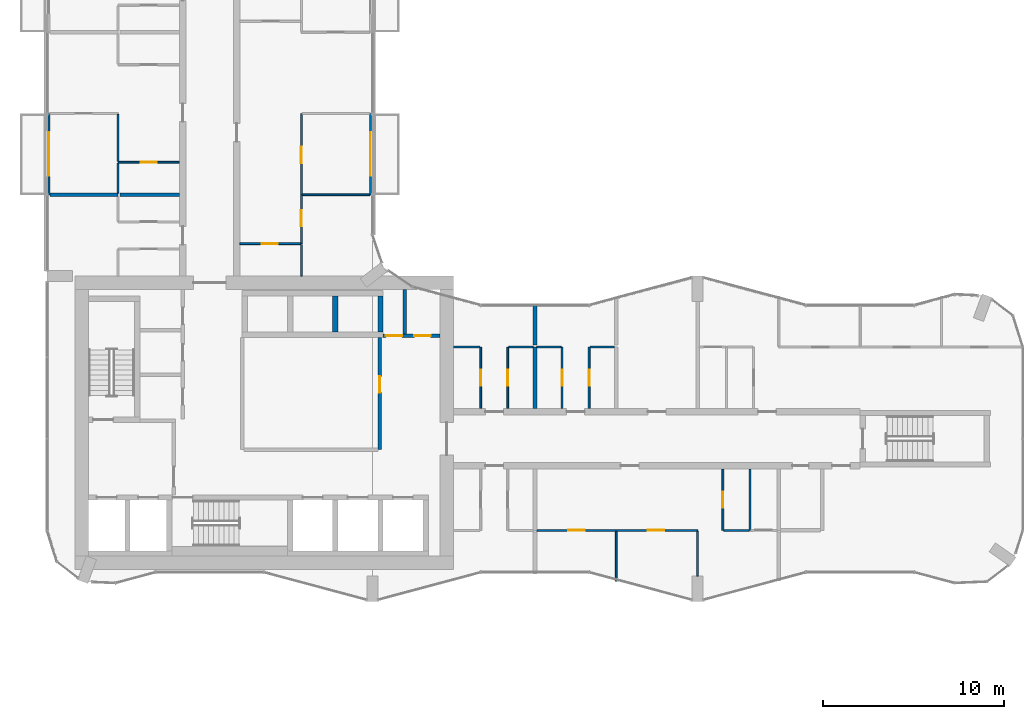
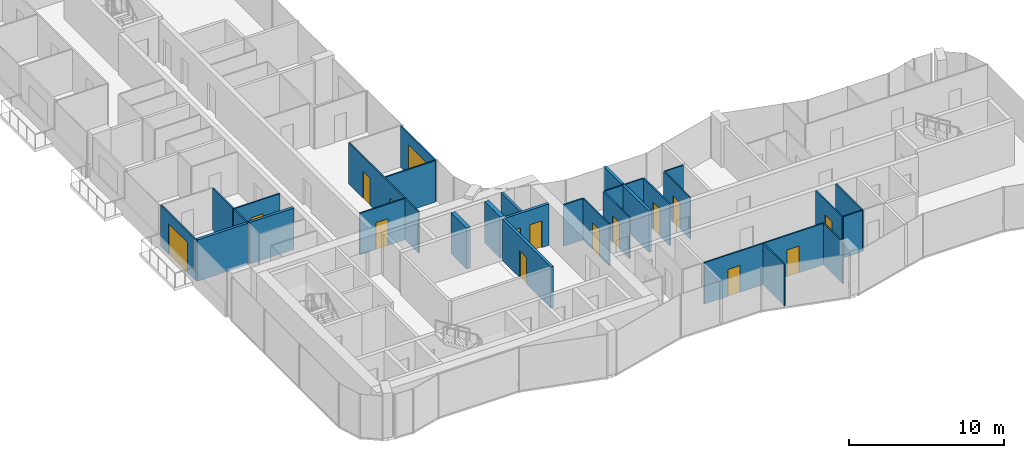
# One storey, part 14 of 23: 32 walls, 16 doors, 16 openings.
"""IFC4 building model written with IfcOpenShell, lengths in metres."""

from ifc_helpers import new_model, si_unit, direction, frame, frame_2d, origin, place, context, subcontext, project, spatial, rectangle, extrude, material, layer, layer_set, type_object, element, fill, save


model = new_model("IFC4")

# Units and contexts
model_context = context("Model", 3, precision=1e-05, world=origin(), true_north=direction((0.0, 1.0)))
body_context = subcontext(model_context, "Body", "Model", "MODEL_VIEW")
ifc_project = project(units=[si_unit("LENGTHUNIT", "METRE"), si_unit("AREAUNIT", "SQUARE_METRE"), si_unit("VOLUMEUNIT", "CUBIC_METRE"), si_unit("PLANEANGLEUNIT", "RADIAN"), si_unit("MASSUNIT", "GRAM", prefix="KILO")], contexts=[model_context])

# Site, building, storey
site_placement = place(None, origin())
site = spatial("IfcSite", under=ifc_project, at=site_placement, CompositionType="ELEMENT")
building_placement = place(site_placement, origin())
building = spatial("IfcBuilding", under=site, at=building_placement, Name="Plateau Cross Towers", CompositionType="ELEMENT")
storey_placement = place(building_placement, frame((0.0, 0.0, 40.800048828125)))
storey = spatial("IfcBuildingStorey", under=building, at=storey_placement, Name="L09", CompositionType="ELEMENT", Elevation=40.800048828125)

# Wall, opening, door
ifc_material_1 = material(Name="Aluminium framed glazing", Category="aluminium")
ifc_layer_1 = layer(ifc_material_1, 0.10009765625)
ifc_layer_set_1 = layer_set([ifc_layer_1], Name="Aluminium framed glazing")
wall_type_1 = type_object("IfcWallType", Name="Balcony screen wall 100", PredefinedType="STANDARD", material=ifc_layer_set_1)
wall_1_placement = place(storey_placement, frame((0.10009765625, 22.5, 0.0), z_axis=(0.0, 0.0, 1.0), x_axis=(0.0, 1.0, 0.0)))
wall_1 = element("IfcWall", 1, at=wall_1_placement, inside=storey, type_object=wall_type_1, Name="Balcony screen wall A-BAL-L09-01", PredefinedType="STANDARD", context=body_context, shape_type="SweptSolid", body=[
    extrude(rectangle(XDim=4.5, YDim=0.10009765625, at=frame_2d((2.25, 0.0))), origin(), (0.0, 0.0, 1.0), 3.25),
])
opening_1_placement = place(wall_1_placement, frame((1.050048828125, 0.0, 0.0)))
opening_1 = element("IfcOpeningElement", 2, at=opening_1_placement, cuts=wall_1, Name="Opening D-B24", PredefinedType="OPENING", context=body_context, shape_type="SweptSolid", body=[
    extrude(rectangle(XDim=2.39990234375, YDim=2.39990234375, at=frame_2d((1.199951171875, 1.199951171875))), frame((0.0, 0.06005859375, 0.0), z_axis=(0.0, -1.0, 0.0), x_axis=(1.0, 0.0, 0.0)), (0.0, 0.0, 1.0), 0.1201171875),
])
ifc_material_2 = material(Name="Aluminium frame, double glazing", Category="aluminium")
door_type_1 = type_object("IfcDoorType", Name="Balcony sliding door 2400", OperationType="NOTDEFINED", PredefinedType="DOOR", material=ifc_material_2)
door_1_placement = place(opening_1_placement, origin())
door_1 = element("IfcDoor", 3, at=door_1_placement, inside=storey, type_object=door_type_1, Name="Balcony door A-BAL-L09-01", OperationType="SINGLE_SWING_LEFT", OverallHeight=2.39990234375, OverallWidth=2.39990234375, PredefinedType="DOOR", context=body_context, shape_type="SweptSolid", body=[
    extrude(rectangle(XDim=2.39990234375, YDim=2.39990234375, at=frame_2d((1.199951171875, 1.199951171875))), frame((0.0, 0.02490234375, 0.0), z_axis=(0.0, -1.0, 0.0), x_axis=(1.0, 0.0, 0.0)), (0.0, 0.0, 1.0), 0.050048828125),
])
fill(opening_1, door_1)

wall_2_placement = place(storey_placement, frame((17.89990234375, 27.0, 0.0), z_axis=(0.0, 0.0, 1.0), x_axis=(0.0, -1.0, 0.0)))
wall_2 = element("IfcWall", 4, at=wall_2_placement, inside=storey, type_object=wall_type_1, Name="Balcony screen wall A-BAL-L09-04", PredefinedType="STANDARD", context=body_context, shape_type="SweptSolid", body=[
    extrude(rectangle(XDim=4.5, YDim=0.10009765625, at=frame_2d((2.25, 0.0))), origin(), (0.0, 0.0, 1.0), 3.25),
])
opening_2_placement = place(wall_2_placement, frame((1.050048828125, 0.0, 0.0)))
opening_2 = element("IfcOpeningElement", 5, at=opening_2_placement, cuts=wall_2, Name="Opening D-B24", PredefinedType="OPENING", context=body_context, shape_type="SweptSolid", body=[
    extrude(rectangle(XDim=2.39990234375, YDim=2.39990234375, at=frame_2d((1.199951171875, 1.199951171875))), frame((0.0, 0.06005859375, 0.0), z_axis=(0.0, -1.0, 0.0), x_axis=(1.0, 0.0, 0.0)), (0.0, 0.0, 1.0), 0.1201171875),
])
door_2_placement = place(opening_2_placement, origin())
door_2 = element("IfcDoor", 6, at=door_2_placement, inside=storey, type_object=door_type_1, Name="Balcony door A-BAL-L09-04", OperationType="SINGLE_SWING_LEFT", OverallHeight=2.39990234375, OverallWidth=2.39990234375, PredefinedType="DOOR", context=body_context, shape_type="SweptSolid", body=[
    extrude(rectangle(XDim=2.39990234375, YDim=2.39990234375, at=frame_2d((1.199951171875, 1.199951171875))), frame((0.0, 0.02490234375, 0.0), z_axis=(0.0, -1.0, 0.0), x_axis=(1.0, 0.0, 0.0)), (0.0, 0.0, 1.0), 0.050048828125),
])
fill(opening_2, door_2)

ifc_material_3 = material(Name="Concrete block, plastered both sides", Category="concrete")
ifc_layer_2 = layer(ifc_material_3, 0.199951171875)
ifc_layer_set_2 = layer_set([ifc_layer_2], Name="Concrete block, plastered both sides")
wall_type_2 = type_object("IfcWallType", Name="Core partition 200", PredefinedType="PARTITIONING", material=ifc_layer_set_2)
wall_3_placement = place(storey_placement, frame((18.39990234375, 8.39990234375, 0.0), z_axis=(0.0, 0.0, 1.0), x_axis=(0.0, 1.0, 0.0)))
wall_3 = element("IfcWall", 7, at=wall_3_placement, inside=storey, type_object=wall_type_2, Name="Core partition", PredefinedType="PARTITIONING", context=body_context, shape_type="SweptSolid", body=[
    extrude(rectangle(XDim=6.2001953125, YDim=0.199951171875, at=frame_2d((3.10009765625, 0.0))), origin(), (0.0, 0.0, 1.0), 3.25),
])
opening_3_placement = place(wall_3_placement, frame((3.14990234375, 0.0, 0.0)))
opening_3 = element("IfcOpeningElement", 8, at=opening_3_placement, cuts=wall_3, Name="Opening RD1", PredefinedType="OPENING", context=body_context, shape_type="SweptSolid", body=[
    extrude(rectangle(XDim=0.89990234375, YDim=2.10009765625, at=frame_2d((0.449951171875, 1.050048828125))), frame((0.0, 0.10986328125, 0.0), z_axis=(0.0, -1.0, 0.0), x_axis=(1.0, 0.0, 0.0)), (0.0, 0.0, 1.0), 0.219970703125),
])
ifc_material_4 = material(Name="Timber, fire-resisting leaf", Category="wood")
door_type_2 = type_object("IfcDoorType", Name="Core service door 900", OperationType="NOTDEFINED", PredefinedType="DOOR", material=ifc_material_4)
door_3_placement = place(opening_3_placement, origin())
door_3 = element("IfcDoor", 9, at=door_3_placement, inside=storey, type_object=door_type_2, Name="Core service door RD1", OperationType="SINGLE_SWING_LEFT", OverallHeight=2.10009765625, OverallWidth=0.89990234375, PredefinedType="DOOR", context=body_context, shape_type="SweptSolid", body=[
    extrude(rectangle(XDim=0.89990234375, YDim=2.10009765625, at=frame_2d((0.449951171875, 1.050048828125))), frame((0.0, 0.02490234375, 0.0), z_axis=(0.0, -1.0, 0.0), x_axis=(1.0, 0.0, 0.0)), (0.0, 0.0, 1.0), 0.050048828125),
])
fill(opening_3, door_3)

# Wall, openings, doors
wall_4_placement = place(storey_placement, frame((18.60009765625, 14.699951171875, 0.0), z_axis=(0.0, 0.0, 1.0), x_axis=(1.0, 0.0, 0.0)))
wall_4 = element("IfcWall", 10, at=wall_4_placement, inside=storey, type_object=wall_type_2, Name="Core partition", PredefinedType="PARTITIONING", context=body_context, shape_type="SweptSolid", body=[
    extrude(rectangle(XDim=3.14990234375, YDim=0.199951171875, at=frame_2d((1.574951171875, 0.0))), origin(), (0.0, 0.0, 1.0), 3.25),
])
opening_4_placement = place(wall_4_placement, frame((0.14990234375, 0.0, 0.0)))
opening_4 = element("IfcOpeningElement", 11, at=opening_4_placement, cuts=wall_4, Name="Opening RD2", PredefinedType="OPENING", context=body_context, shape_type="SweptSolid", body=[
    extrude(rectangle(XDim=0.89990234375, YDim=2.10009765625, at=frame_2d((0.449951171875, 1.050048828125))), frame((0.0, 0.10986328125, 0.0), z_axis=(0.0, -1.0, 0.0), x_axis=(1.0, 0.0, 0.0)), (0.0, 0.0, 1.0), 0.219970703125),
])
opening_5_placement = place(wall_4_placement, frame((1.72509765625, 0.0, 0.0)))
opening_5 = element("IfcOpeningElement", 12, at=opening_5_placement, cuts=wall_4, Name="Opening RD2", PredefinedType="OPENING", context=body_context, shape_type="SweptSolid", body=[
    extrude(rectangle(XDim=0.89990234375, YDim=2.10009765625, at=frame_2d((0.449951171875, 1.050048828125))), frame((0.0, 0.10986328125, 0.0), z_axis=(0.0, -1.0, 0.0), x_axis=(1.0, 0.0, 0.0)), (0.0, 0.0, 1.0), 0.219970703125),
])
ifc_material_5 = material(Name="Steel, fire-resisting leaf", Category="steel")
door_type_3 = type_object("IfcDoorType", Name="Core riser door 900", OperationType="NOTDEFINED", PredefinedType="DOOR", material=ifc_material_5)
door_4_placement = place(opening_4_placement, origin())
door_4 = element("IfcDoor", 13, at=door_4_placement, inside=storey, type_object=door_type_3, Name="Core riser door RD2", OperationType="SINGLE_SWING_LEFT", OverallHeight=2.10009765625, OverallWidth=0.89990234375, PredefinedType="DOOR", context=body_context, shape_type="SweptSolid", body=[
    extrude(rectangle(XDim=0.89990234375, YDim=2.10009765625, at=frame_2d((0.449951171875, 1.050048828125))), frame((0.0, 0.02490234375, 0.0), z_axis=(0.0, -1.0, 0.0), x_axis=(1.0, 0.0, 0.0)), (0.0, 0.0, 1.0), 0.050048828125),
])
fill(opening_4, door_4)
door_5_placement = place(opening_5_placement, origin())
door_5 = element("IfcDoor", 14, at=door_5_placement, inside=storey, type_object=door_type_3, Name="Core riser door RD2", OperationType="SINGLE_SWING_LEFT", OverallHeight=2.10009765625, OverallWidth=0.89990234375, PredefinedType="DOOR", context=body_context, shape_type="SweptSolid", body=[
    extrude(rectangle(XDim=0.89990234375, YDim=2.10009765625, at=frame_2d((0.449951171875, 1.050048828125))), frame((0.0, 0.02490234375, 0.0), z_axis=(0.0, -1.0, 0.0), x_axis=(1.0, 0.0, 0.0)), (0.0, 0.0, 1.0), 0.050048828125),
])
fill(opening_5, door_5)

# Walls
wall_5_placement = place(storey_placement, frame((19.800048828125, 14.800048828125, 0.0), z_axis=(0.0, 0.0, 1.0), x_axis=(0.0, 1.0, 0.0)))
element("IfcWall", 15, at=wall_5_placement, inside=storey, type_object=wall_type_2, Name="Core partition", PredefinedType="PARTITIONING", context=body_context, shape_type="SweptSolid", body=[
    extrude(rectangle(XDim=2.449951171875, YDim=0.199951171875, at=frame_2d((1.22509765625, 0.0))), origin(), (0.0, 0.0, 1.0), 3.25),
])
ifc_material_6 = material(Name="Concrete C60/75", Category="concrete")
ifc_layer_3 = layer(ifc_material_6, 0.300048828125)
ifc_layer_set_3 = layer_set([ifc_layer_3], Name="Concrete C60/75")
wall_type_3 = type_object("IfcWallType", Name="Core shaft wall 300", PredefinedType="SHEAR", material=ifc_layer_set_3)
for number, where, z_axis, x_axis, name in (
    (16, (15.949951171875, 14.89990234375, 0.0), (0.0, 0.0, 1.0), (0.0, 1.0, 0.0), "A-nb-v3@L09"),
    (17, (18.449951171875, 14.89990234375, 0.0), (0.0, 0.0, 1.0), (0.0, 1.0, 0.0), "A-nb-v4@L09"),
):
    element("IfcWall", number, at=place(storey_placement, frame(where, z_axis=z_axis, x_axis=x_axis)), inside=storey, type_object=wall_type_3, Name=name, PredefinedType="SHEAR", context=body_context, shape_type="SweptSolid", body=[
        extrude(rectangle(XDim=2.0, YDim=0.300048828125, at=frame_2d((1.0, 0.0))), origin(), (0.0, 0.0, 1.0), 3.25),
    ])

# Wall, openings, doors
ifc_material_7 = material(Name="Gypsum board on steel studs", Category="steel")
ifc_layer_4 = layer(ifc_material_7, 0.10009765625)
ifc_layer_set_4 = layer_set([ifc_layer_4], Name="Gypsum board on steel studs")
wall_type_4 = type_object("IfcWallType", Name="Flat partition 100", PredefinedType="PARTITIONING", material=ifc_layer_set_4)
wall_6_placement = place(storey_placement, frame((36.0, 3.925048828125, 0.0), z_axis=(0.0, 0.0, 1.0), x_axis=(-1.0, 0.0, 0.0)))
wall_6 = element("IfcWall", 18, at=wall_6_placement, inside=storey, type_object=wall_type_4, Name="Partition wall", PredefinedType="PARTITIONING", context=body_context, shape_type="SweptSolid", body=[
    extrude(rectangle(XDim=8.89990234375, YDim=0.10009765625, at=frame_2d((4.449951171875, 0.0))), origin(), (0.0, 0.0, 1.0), 3.25),
])
opening_6_placement = place(wall_6_placement, frame((6.25, 0.0, 0.0)))
opening_6 = element("IfcOpeningElement", 19, at=opening_6_placement, cuts=wall_6, Name="Opening 09-21", PredefinedType="OPENING", context=body_context, shape_type="SweptSolid", body=[
    extrude(rectangle(XDim=0.89990234375, YDim=2.10009765625, at=frame_2d((0.449951171875, 1.050048828125))), frame((0.0, 0.06005859375, 0.0), z_axis=(0.0, -1.0, 0.0), x_axis=(1.0, 0.0, 0.0)), (0.0, 0.0, 1.0), 0.1201171875),
])
opening_7_placement = place(wall_6_placement, frame((1.85009765625, 0.0, 0.0)))
opening_7 = element("IfcOpeningElement", 20, at=opening_7_placement, cuts=wall_6, Name="Opening 09-22", PredefinedType="OPENING", context=body_context, shape_type="SweptSolid", body=[
    extrude(rectangle(XDim=0.89990234375, YDim=2.10009765625, at=frame_2d((0.449951171875, 1.050048828125))), frame((0.0, 0.06005859375, 0.0), z_axis=(0.0, -1.0, 0.0), x_axis=(1.0, 0.0, 0.0)), (0.0, 0.0, 1.0), 0.1201171875),
])
ifc_material_8 = material(Name="Timber leaf", Category="wood")
door_type_4 = type_object("IfcDoorType", Name="Flat room door 900", OperationType="NOTDEFINED", PredefinedType="DOOR", material=ifc_material_8)
door_6_placement = place(opening_6_placement, origin())
door_6 = element("IfcDoor", 21, at=door_6_placement, inside=storey, type_object=door_type_4, Name="Door 09-21", OperationType="SINGLE_SWING_RIGHT", OverallHeight=2.10009765625, OverallWidth=0.89990234375, PredefinedType="DOOR", context=body_context, shape_type="SweptSolid", body=[
    extrude(rectangle(XDim=0.89990234375, YDim=2.10009765625, at=frame_2d((0.449951171875, 1.050048828125))), frame((0.0, 0.02490234375, 0.0), z_axis=(0.0, -1.0, 0.0), x_axis=(1.0, 0.0, 0.0)), (0.0, 0.0, 1.0), 0.050048828125),
])
fill(opening_6, door_6)
door_7_placement = place(opening_7_placement, origin())
door_7 = element("IfcDoor", 22, at=door_7_placement, inside=storey, type_object=door_type_4, Name="Door 09-22", OperationType="SINGLE_SWING_LEFT", OverallHeight=2.10009765625, OverallWidth=0.89990234375, PredefinedType="DOOR", context=body_context, shape_type="SweptSolid", body=[
    extrude(rectangle(XDim=0.89990234375, YDim=2.10009765625, at=frame_2d((0.449951171875, 1.050048828125))), frame((0.0, 0.02490234375, 0.0), z_axis=(0.0, -1.0, 0.0), x_axis=(1.0, 0.0, 0.0)), (0.0, 0.0, 1.0), 0.050048828125),
])
fill(opening_7, door_7)

# Walls
wall_7_placement = place(storey_placement, frame((37.449951171875, 3.925048828125, 0.0), z_axis=(0.0, 0.0, 1.0), x_axis=(1.0, 0.0, 0.0)))
element("IfcWall", 23, at=wall_7_placement, inside=storey, type_object=wall_type_4, Name="Partition wall", PredefinedType="PARTITIONING", context=body_context, shape_type="SweptSolid", body=[
    extrude(rectangle(XDim=1.400146484375, YDim=0.10009765625, at=frame_2d((0.7001953125, 0.0))), origin(), (0.0, 0.0, 1.0), 3.25),
])
wall_8_placement = place(storey_placement, frame((23.949951171875, 14.074951171875, 0.0), z_axis=(0.0, 0.0, 1.0), x_axis=(-1.0, 0.0, 0.0)))
element("IfcWall", 24, at=wall_8_placement, inside=storey, type_object=wall_type_4, Name="Partition wall", PredefinedType="PARTITIONING", context=body_context, shape_type="SweptSolid", body=[
    extrude(rectangle(XDim=1.449951171875, YDim=0.10009765625, at=frame_2d((0.72509765625, 0.0))), origin(), (0.0, 0.0, 1.0), 3.25),
])
for number, where, z_axis, x_axis, name in (
    (25, (26.89990234375, 14.074951171875, 0.0), (0.0, 0.0, 1.0), (-1.0, 0.0, 0.0), "Partition wall"),
    (26, (28.449951171875, 14.074951171875, 0.0), (0.0, 0.0, 1.0), (-1.0, 0.0, 0.0), "Partition wall"),
    (27, (31.39990234375, 14.074951171875, 0.0), (0.0, 0.0, 1.0), (-1.0, 0.0, 0.0), "Partition wall"),
):
    element("IfcWall", number, at=place(storey_placement, frame(where, z_axis=z_axis, x_axis=x_axis)), inside=storey, type_object=wall_type_4, Name=name, PredefinedType="PARTITIONING", context=body_context, shape_type="SweptSolid", body=[
        extrude(rectangle(XDim=1.349853515625, YDim=0.10009765625, at=frame_2d((0.6748046875, 0.0))), origin(), (0.0, 0.0, 1.0), 3.25),
    ])

# Wall, opening, door
wall_9_placement = place(storey_placement, frame((14.02490234375, 19.800048828125, 0.0), z_axis=(0.0, 0.0, 1.0), x_axis=(-1.0, 0.0, 0.0)))
wall_9 = element("IfcWall", 28, at=wall_9_placement, inside=storey, type_object=wall_type_4, Name="Partition wall", PredefinedType="PARTITIONING", context=body_context, shape_type="SweptSolid", body=[
    extrude(rectangle(XDim=3.349853515625, YDim=0.10009765625, at=frame_2d((1.6748046875, 0.0))), origin(), (0.0, 0.0, 1.0), 3.25),
])
opening_8_placement = place(wall_9_placement, frame((1.25, 0.0, 0.0)))
opening_8 = element("IfcOpeningElement", 29, at=opening_8_placement, cuts=wall_9, Name="Opening 09-44", PredefinedType="OPENING", context=body_context, shape_type="SweptSolid", body=[
    extrude(rectangle(XDim=0.89990234375, YDim=2.10009765625, at=frame_2d((0.449951171875, 1.050048828125))), frame((0.0, 0.06005859375, 0.0), z_axis=(0.0, -1.0, 0.0), x_axis=(1.0, 0.0, 0.0)), (0.0, 0.0, 1.0), 0.1201171875),
])
door_8_placement = place(opening_8_placement, origin())
door_8 = element("IfcDoor", 30, at=door_8_placement, inside=storey, type_object=door_type_4, Name="Door 09-44", OperationType="SINGLE_SWING_RIGHT", OverallHeight=2.10009765625, OverallWidth=0.89990234375, PredefinedType="DOOR", context=body_context, shape_type="SweptSolid", body=[
    extrude(rectangle(XDim=0.89990234375, YDim=2.10009765625, at=frame_2d((0.449951171875, 1.050048828125))), frame((0.0, 0.02490234375, 0.0), z_axis=(0.0, -1.0, 0.0), x_axis=(1.0, 0.0, 0.0)), (0.0, 0.0, 1.0), 0.050048828125),
])
fill(opening_8, door_8)

# Wall
wall_10_placement = place(storey_placement, frame((17.85009765625, 22.5, 0.0), z_axis=(0.0, 0.0, 1.0), x_axis=(-1.0, 0.0, 0.0)))
element("IfcWall", 31, at=wall_10_placement, inside=storey, type_object=wall_type_4, Name="Partition wall", PredefinedType="PARTITIONING", context=body_context, shape_type="SweptSolid", body=[
    extrude(rectangle(XDim=3.72509765625, YDim=0.10009765625, at=frame_2d((1.862548828125, 0.0))), origin(), (0.0, 0.0, 1.0), 3.25),
])

# Wall, opening, door
wall_11_placement = place(storey_placement, frame((7.324951171875, 24.300048828125, 0.0), z_axis=(0.0, 0.0, 1.0), x_axis=(-1.0, 0.0, 0.0)))
wall_11 = element("IfcWall", 32, at=wall_11_placement, inside=storey, type_object=wall_type_4, Name="Partition wall", PredefinedType="PARTITIONING", context=body_context, shape_type="SweptSolid", body=[
    extrude(rectangle(XDim=3.39990234375, YDim=0.10009765625, at=frame_2d((1.699951171875, 0.0))), origin(), (0.0, 0.0, 1.0), 3.25),
])
opening_9_placement = place(wall_11_placement, frame((1.25, 0.0, 0.0)))
opening_9 = element("IfcOpeningElement", 33, at=opening_9_placement, cuts=wall_11, Name="Opening 09-34", PredefinedType="OPENING", context=body_context, shape_type="SweptSolid", body=[
    extrude(rectangle(XDim=0.89990234375, YDim=2.10009765625, at=frame_2d((0.449951171875, 1.050048828125))), frame((0.0, 0.06005859375, 0.0), z_axis=(0.0, -1.0, 0.0), x_axis=(1.0, 0.0, 0.0)), (0.0, 0.0, 1.0), 0.1201171875),
])
door_9_placement = place(opening_9_placement, origin())
door_9 = element("IfcDoor", 34, at=door_9_placement, inside=storey, type_object=door_type_4, Name="Door 09-34", OperationType="SINGLE_SWING_LEFT", OverallHeight=2.10009765625, OverallWidth=0.89990234375, PredefinedType="DOOR", context=body_context, shape_type="SweptSolid", body=[
    extrude(rectangle(XDim=0.89990234375, YDim=2.10009765625, at=frame_2d((0.449951171875, 1.050048828125))), frame((0.0, 0.02490234375, 0.0), z_axis=(0.0, -1.0, 0.0), x_axis=(1.0, 0.0, 0.0)), (0.0, 0.0, 1.0), 0.050048828125),
])
fill(opening_9, door_9)

# Walls
wall_12_placement = place(storey_placement, frame((3.925048828125, 24.25, 0.0), z_axis=(0.0, 0.0, 1.0), x_axis=(0.0, -1.0, 0.0)))
element("IfcWall", 35, at=wall_12_placement, inside=storey, type_object=wall_type_4, Name="Partition wall", PredefinedType="PARTITIONING", context=body_context, shape_type="SweptSolid", body=[
    extrude(rectangle(XDim=1.64990234375, YDim=0.10009765625, at=frame_2d((0.824951171875, 0.0))), origin(), (0.0, 0.0, 1.0), 3.25),
])
wall_13_placement = place(storey_placement, frame((3.925048828125, 24.35009765625, 0.0), z_axis=(0.0, 0.0, 1.0), x_axis=(0.0, 1.0, 0.0)))
element("IfcWall", 36, at=wall_13_placement, inside=storey, type_object=wall_type_4, Name="Partition wall", PredefinedType="PARTITIONING", context=body_context, shape_type="SweptSolid", body=[
    extrude(rectangle(XDim=2.599853515625, YDim=0.10009765625, at=frame_2d((1.2998046875, 0.0))), origin(), (0.0, 0.0, 1.0), 3.25),
])

# Wall, openings, doors
wall_14_placement = place(storey_placement, frame((14.074951171875, 27.0, 0.0), z_axis=(0.0, 0.0, 1.0), x_axis=(0.0, -1.0, 0.0)))
wall_14 = element("IfcWall", 37, at=wall_14_placement, inside=storey, type_object=wall_type_4, Name="Partition wall", PredefinedType="PARTITIONING", context=body_context, shape_type="SweptSolid", body=[
    extrude(rectangle(XDim=7.199951171875, YDim=0.10009765625, at=frame_2d((3.60009765625, 0.0))), origin(), (0.0, 0.0, 1.0), 3.25),
])
opening_10_placement = place(wall_14_placement, frame((5.35009765625, 0.0, 0.0)))
opening_10 = element("IfcOpeningElement", 38, at=opening_10_placement, cuts=wall_14, Name="Opening 09-46", PredefinedType="OPENING", context=body_context, shape_type="SweptSolid", body=[
    extrude(rectangle(XDim=0.89990234375, YDim=2.10009765625, at=frame_2d((0.449951171875, 1.050048828125))), frame((0.0, 0.06005859375, 0.0), z_axis=(0.0, -1.0, 0.0), x_axis=(1.0, 0.0, 0.0)), (0.0, 0.0, 1.0), 0.1201171875),
])
opening_11_placement = place(wall_14_placement, frame((1.85009765625, 0.0, 0.0)))
opening_11 = element("IfcOpeningElement", 39, at=opening_11_placement, cuts=wall_14, Name="Opening 09-47", PredefinedType="OPENING", context=body_context, shape_type="SweptSolid", body=[
    extrude(rectangle(XDim=0.89990234375, YDim=2.10009765625, at=frame_2d((0.449951171875, 1.050048828125))), frame((0.0, 0.06005859375, 0.0), z_axis=(0.0, -1.0, 0.0), x_axis=(1.0, 0.0, 0.0)), (0.0, 0.0, 1.0), 0.1201171875),
])
door_10_placement = place(opening_10_placement, origin())
door_10 = element("IfcDoor", 40, at=door_10_placement, inside=storey, type_object=door_type_4, Name="Door 09-46", OperationType="SINGLE_SWING_RIGHT", OverallHeight=2.10009765625, OverallWidth=0.89990234375, PredefinedType="DOOR", context=body_context, shape_type="SweptSolid", body=[
    extrude(rectangle(XDim=0.89990234375, YDim=2.10009765625, at=frame_2d((0.449951171875, 1.050048828125))), frame((0.0, 0.02490234375, 0.0), z_axis=(0.0, -1.0, 0.0), x_axis=(1.0, 0.0, 0.0)), (0.0, 0.0, 1.0), 0.050048828125),
])
fill(opening_10, door_10)
door_11_placement = place(opening_11_placement, origin())
door_11 = element("IfcDoor", 41, at=door_11_placement, inside=storey, type_object=door_type_4, Name="Door 09-47", OperationType="SINGLE_SWING_LEFT", OverallHeight=2.10009765625, OverallWidth=0.89990234375, PredefinedType="DOOR", context=body_context, shape_type="SweptSolid", body=[
    extrude(rectangle(XDim=0.89990234375, YDim=2.10009765625, at=frame_2d((0.449951171875, 1.050048828125))), frame((0.0, 0.02490234375, 0.0), z_axis=(0.0, -1.0, 0.0), x_axis=(1.0, 0.0, 0.0)), (0.0, 0.0, 1.0), 0.050048828125),
])
fill(opening_11, door_11)

# Wall
wall_15_placement = place(storey_placement, frame((14.074951171875, 18.0, 0.0), z_axis=(0.0, 0.0, 1.0), x_axis=(0.0, 1.0, 0.0)))
element("IfcWall", 42, at=wall_15_placement, inside=storey, type_object=wall_type_4, Name="Partition wall", PredefinedType="PARTITIONING", context=body_context, shape_type="SweptSolid", body=[
    extrude(rectangle(XDim=1.75, YDim=0.10009765625, at=frame_2d((0.875, 0.0))), origin(), (0.0, 0.0, 1.0), 3.25),
])

# Wall, opening, door
wall_16_placement = place(storey_placement, frame((24.0, 10.675048828125, 0.0), z_axis=(0.0, 0.0, 1.0), x_axis=(0.0, 1.0, 0.0)))
wall_16 = element("IfcWall", 43, at=wall_16_placement, inside=storey, type_object=wall_type_4, Name="Partition wall", PredefinedType="PARTITIONING", context=body_context, shape_type="SweptSolid", body=[
    extrude(rectangle(XDim=3.39990234375, YDim=0.10009765625, at=frame_2d((1.699951171875, 0.0))), origin(), (0.0, 0.0, 1.0), 3.25),
])
opening_12_placement = place(wall_16_placement, frame((1.25, 0.0, 0.0)))
opening_12 = element("IfcOpeningElement", 44, at=opening_12_placement, cuts=wall_16, Name="Opening 09-23", PredefinedType="OPENING", context=body_context, shape_type="SweptSolid", body=[
    extrude(rectangle(XDim=0.89990234375, YDim=2.10009765625, at=frame_2d((0.449951171875, 1.050048828125))), frame((0.0, 0.06005859375, 0.0), z_axis=(0.0, -1.0, 0.0), x_axis=(1.0, 0.0, 0.0)), (0.0, 0.0, 1.0), 0.1201171875),
])
door_12_placement = place(opening_12_placement, origin())
door_12 = element("IfcDoor", 45, at=door_12_placement, inside=storey, type_object=door_type_4, Name="Door 09-23", OperationType="SINGLE_SWING_RIGHT", OverallHeight=2.10009765625, OverallWidth=0.89990234375, PredefinedType="DOOR", context=body_context, shape_type="SweptSolid", body=[
    extrude(rectangle(XDim=0.89990234375, YDim=2.10009765625, at=frame_2d((0.449951171875, 1.050048828125))), frame((0.0, 0.02490234375, 0.0), z_axis=(0.0, -1.0, 0.0), x_axis=(1.0, 0.0, 0.0)), (0.0, 0.0, 1.0), 0.050048828125),
])
fill(opening_12, door_12)

wall_17_placement = place(storey_placement, frame((25.5, 14.074951171875, 0.0), z_axis=(0.0, 0.0, 1.0), x_axis=(0.0, -1.0, 0.0)))
wall_17 = element("IfcWall", 46, at=wall_17_placement, inside=storey, type_object=wall_type_4, Name="Partition wall", PredefinedType="PARTITIONING", context=body_context, shape_type="SweptSolid", body=[
    extrude(rectangle(XDim=3.39990234375, YDim=0.10009765625, at=frame_2d((1.699951171875, 0.0))), origin(), (0.0, 0.0, 1.0), 3.25),
])
opening_13_placement = place(wall_17_placement, frame((1.25, 0.0, 0.0)))
opening_13 = element("IfcOpeningElement", 47, at=opening_13_placement, cuts=wall_17, Name="Opening 09-24", PredefinedType="OPENING", context=body_context, shape_type="SweptSolid", body=[
    extrude(rectangle(XDim=0.89990234375, YDim=2.10009765625, at=frame_2d((0.449951171875, 1.050048828125))), frame((0.0, 0.06005859375, 0.0), z_axis=(0.0, -1.0, 0.0), x_axis=(1.0, 0.0, 0.0)), (0.0, 0.0, 1.0), 0.1201171875),
])
door_13_placement = place(opening_13_placement, origin())
door_13 = element("IfcDoor", 48, at=door_13_placement, inside=storey, type_object=door_type_4, Name="Door 09-24", OperationType="SINGLE_SWING_RIGHT", OverallHeight=2.10009765625, OverallWidth=0.89990234375, PredefinedType="DOOR", context=body_context, shape_type="SweptSolid", body=[
    extrude(rectangle(XDim=0.89990234375, YDim=2.10009765625, at=frame_2d((0.449951171875, 1.050048828125))), frame((0.0, 0.02490234375, 0.0), z_axis=(0.0, -1.0, 0.0), x_axis=(1.0, 0.0, 0.0)), (0.0, 0.0, 1.0), 0.050048828125),
])
fill(opening_13, door_13)

wall_18_placement = place(storey_placement, frame((28.5, 10.675048828125, 0.0), z_axis=(0.0, 0.0, 1.0), x_axis=(0.0, 1.0, 0.0)))
wall_18 = element("IfcWall", 49, at=wall_18_placement, inside=storey, type_object=wall_type_4, Name="Partition wall", PredefinedType="PARTITIONING", context=body_context, shape_type="SweptSolid", body=[
    extrude(rectangle(XDim=3.39990234375, YDim=0.10009765625, at=frame_2d((1.699951171875, 0.0))), origin(), (0.0, 0.0, 1.0), 3.25),
])
opening_14_placement = place(wall_18_placement, frame((1.25, 0.0, 0.0)))
opening_14 = element("IfcOpeningElement", 50, at=opening_14_placement, cuts=wall_18, Name="Opening 09-25", PredefinedType="OPENING", context=body_context, shape_type="SweptSolid", body=[
    extrude(rectangle(XDim=0.89990234375, YDim=2.10009765625, at=frame_2d((0.449951171875, 1.050048828125))), frame((0.0, 0.06005859375, 0.0), z_axis=(0.0, -1.0, 0.0), x_axis=(1.0, 0.0, 0.0)), (0.0, 0.0, 1.0), 0.1201171875),
])
door_14_placement = place(opening_14_placement, origin())
door_14 = element("IfcDoor", 51, at=door_14_placement, inside=storey, type_object=door_type_4, Name="Door 09-25", OperationType="SINGLE_SWING_RIGHT", OverallHeight=2.10009765625, OverallWidth=0.89990234375, PredefinedType="DOOR", context=body_context, shape_type="SweptSolid", body=[
    extrude(rectangle(XDim=0.89990234375, YDim=2.10009765625, at=frame_2d((0.449951171875, 1.050048828125))), frame((0.0, 0.02490234375, 0.0), z_axis=(0.0, -1.0, 0.0), x_axis=(1.0, 0.0, 0.0)), (0.0, 0.0, 1.0), 0.050048828125),
])
fill(opening_14, door_14)

wall_19_placement = place(storey_placement, frame((30.0, 14.074951171875, 0.0), z_axis=(0.0, 0.0, 1.0), x_axis=(0.0, -1.0, 0.0)))
wall_19 = element("IfcWall", 52, at=wall_19_placement, inside=storey, type_object=wall_type_4, Name="Partition wall", PredefinedType="PARTITIONING", context=body_context, shape_type="SweptSolid", body=[
    extrude(rectangle(XDim=3.39990234375, YDim=0.10009765625, at=frame_2d((1.699951171875, 0.0))), origin(), (0.0, 0.0, 1.0), 3.25),
])
opening_15_placement = place(wall_19_placement, frame((1.25, 0.0, 0.0)))
opening_15 = element("IfcOpeningElement", 53, at=opening_15_placement, cuts=wall_19, Name="Opening 09-26", PredefinedType="OPENING", context=body_context, shape_type="SweptSolid", body=[
    extrude(rectangle(XDim=0.89990234375, YDim=2.10009765625, at=frame_2d((0.449951171875, 1.050048828125))), frame((0.0, 0.06005859375, 0.0), z_axis=(0.0, -1.0, 0.0), x_axis=(1.0, 0.0, 0.0)), (0.0, 0.0, 1.0), 0.1201171875),
])
door_15_placement = place(opening_15_placement, origin())
door_15 = element("IfcDoor", 54, at=door_15_placement, inside=storey, type_object=door_type_4, Name="Door 09-26", OperationType="SINGLE_SWING_RIGHT", OverallHeight=2.10009765625, OverallWidth=0.89990234375, PredefinedType="DOOR", context=body_context, shape_type="SweptSolid", body=[
    extrude(rectangle(XDim=0.89990234375, YDim=2.10009765625, at=frame_2d((0.449951171875, 1.050048828125))), frame((0.0, 0.02490234375, 0.0), z_axis=(0.0, -1.0, 0.0), x_axis=(1.0, 0.0, 0.0)), (0.0, 0.0, 1.0), 0.050048828125),
])
fill(opening_15, door_15)

# Walls
wall_20_placement = place(storey_placement, frame((31.5, 1.122314453125, 0.0), z_axis=(0.0, 0.0, 1.0), x_axis=(0.0, 1.0, 0.0)))
element("IfcWall", 55, at=wall_20_placement, inside=storey, type_object=wall_type_4, Name="Partition wall", PredefinedType="PARTITIONING", context=body_context, shape_type="SweptSolid", body=[
    extrude(rectangle(XDim=2.752685546875, YDim=0.10009765625, at=frame_2d((1.37646484375, 0.0))), origin(), (0.0, 0.0, 1.0), 3.25),
])
wall_21_placement = place(storey_placement, frame((36.0, 1.39990234375, 0.0), z_axis=(0.0, 0.0, 1.0), x_axis=(0.0, 1.0, 0.0)))
element("IfcWall", 56, at=wall_21_placement, inside=storey, type_object=wall_type_4, Name="Partition wall", PredefinedType="PARTITIONING", context=body_context, shape_type="SweptSolid", body=[
    extrude(rectangle(XDim=2.47509765625, YDim=0.10009765625, at=frame_2d((1.237548828125, 0.0))), origin(), (0.0, 0.0, 1.0), 3.25),
])

# Wall, opening, door
wall_22_placement = place(storey_placement, frame((37.39990234375, 7.324951171875, 0.0), z_axis=(0.0, 0.0, 1.0), x_axis=(0.0, -1.0, 0.0)))
wall_22 = element("IfcWall", 57, at=wall_22_placement, inside=storey, type_object=wall_type_4, Name="Partition wall", PredefinedType="PARTITIONING", context=body_context, shape_type="SweptSolid", body=[
    extrude(rectangle(XDim=3.39990234375, YDim=0.10009765625, at=frame_2d((1.699951171875, 0.0))), origin(), (0.0, 0.0, 1.0), 3.25),
])
opening_16_placement = place(wall_22_placement, frame((1.25, 0.0, 0.0)))
opening_16 = element("IfcOpeningElement", 58, at=opening_16_placement, cuts=wall_22, Name="Opening 09-19", PredefinedType="OPENING", context=body_context, shape_type="SweptSolid", body=[
    extrude(rectangle(XDim=0.89990234375, YDim=2.10009765625, at=frame_2d((0.449951171875, 1.050048828125))), frame((0.0, 0.06005859375, 0.0), z_axis=(0.0, -1.0, 0.0), x_axis=(1.0, 0.0, 0.0)), (0.0, 0.0, 1.0), 0.1201171875),
])
door_16_placement = place(opening_16_placement, origin())
door_16 = element("IfcDoor", 59, at=door_16_placement, inside=storey, type_object=door_type_4, Name="Door 09-19", OperationType="SINGLE_SWING_LEFT", OverallHeight=2.10009765625, OverallWidth=0.89990234375, PredefinedType="DOOR", context=body_context, shape_type="SweptSolid", body=[
    extrude(rectangle(XDim=0.89990234375, YDim=2.10009765625, at=frame_2d((0.449951171875, 1.050048828125))), frame((0.0, 0.02490234375, 0.0), z_axis=(0.0, -1.0, 0.0), x_axis=(1.0, 0.0, 0.0)), (0.0, 0.0, 1.0), 0.050048828125),
])
fill(opening_16, door_16)

# Walls
wall_23_placement = place(storey_placement, frame((38.89990234375, 3.925048828125, 0.0), z_axis=(0.0, 0.0, 1.0), x_axis=(0.0, 1.0, 0.0)))
element("IfcWall", 60, at=wall_23_placement, inside=storey, type_object=wall_type_4, Name="Partition wall", PredefinedType="PARTITIONING", context=body_context, shape_type="SweptSolid", body=[
    extrude(rectangle(XDim=3.39990234375, YDim=0.10009765625, at=frame_2d((1.699951171875, 0.0))), origin(), (0.0, 0.0, 1.0), 3.25),
])
ifc_material_9 = material(Name="Gypsum board on steel studs, two layers each side", Category="steel")
ifc_layer_5 = layer(ifc_material_9, 0.199951171875)
ifc_layer_set_5 = layer_set([ifc_layer_5], Name="Gypsum board on steel studs, two layers each side")
wall_type_5 = type_object("IfcWallType", Name="Flat party wall 200", PredefinedType="PARTITIONING", material=ifc_layer_set_5)
wall_24_placement = place(storey_placement, frame((7.324951171875, 22.5, 0.0), z_axis=(0.0, 0.0, 1.0), x_axis=(-1.0, 0.0, 0.0)))
element("IfcWall", 61, at=wall_24_placement, inside=storey, type_object=wall_type_5, Name="Party wall", PredefinedType="PARTITIONING", context=body_context, shape_type="SweptSolid", body=[
    extrude(rectangle(XDim=3.300048828125, YDim=0.199951171875, at=frame_2d((1.64990234375, 0.0))), origin(), (0.0, 0.0, 1.0), 3.25),
])
wall_25_placement = place(storey_placement, frame((0.14990234375, 22.5, 0.0), z_axis=(0.0, 0.0, 1.0), x_axis=(1.0, 0.0, 0.0)))
element("IfcWall", 62, at=wall_25_placement, inside=storey, type_object=wall_type_5, Name="Party wall", PredefinedType="PARTITIONING", context=body_context, shape_type="SweptSolid", body=[
    extrude(rectangle(XDim=3.775146484375, YDim=0.199951171875, at=frame_2d((1.8876953125, 0.0))), origin(), (0.0, 0.0, 1.0), 3.25),
])
wall_26_placement = place(storey_placement, frame((27.0, 16.47314453125, 0.0), z_axis=(0.0, 0.0, 1.0), x_axis=(0.0, -1.0, 0.0)))
element("IfcWall", 63, at=wall_26_placement, inside=storey, type_object=wall_type_5, Name="Party wall", PredefinedType="PARTITIONING", context=body_context, shape_type="SweptSolid", body=[
    extrude(rectangle(XDim=2.298095703125, YDim=0.199951171875, at=frame_2d((1.14892578125, 0.0))), origin(), (0.0, 0.0, 1.0), 3.25),
])
wall_27_placement = place(storey_placement, frame((27.0, 10.675048828125, 0.0), z_axis=(0.0, 0.0, 1.0), x_axis=(0.0, 1.0, 0.0)))
element("IfcWall", 64, at=wall_27_placement, inside=storey, type_object=wall_type_5, Name="Party wall", PredefinedType="PARTITIONING", context=body_context, shape_type="SweptSolid", body=[
    extrude(rectangle(XDim=3.39990234375, YDim=0.199951171875, at=frame_2d((1.699951171875, 0.0))), origin(), (0.0, 0.0, 1.0), 3.25),
])

save(model, "model.ifc")
